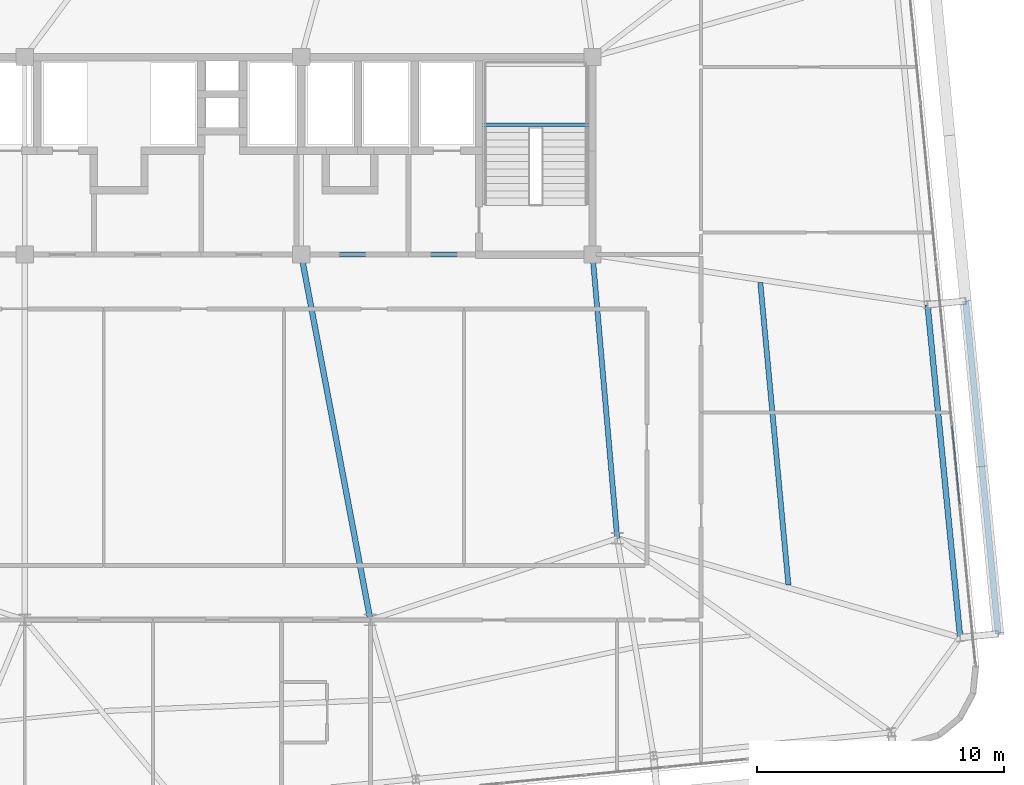
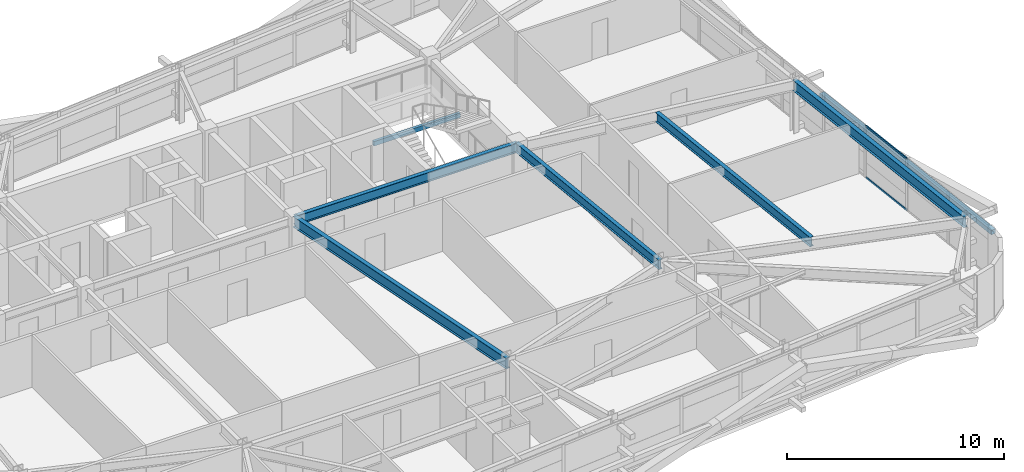
# One storey, part 23 of 52: 6 beams, 3 members, 1 element without a shape of its own.
"""IFC4 building model written with IfcOpenShell, lengths in metres."""

from ifc_helpers import new_model, si_unit, direction, frame, origin, origin_2d, place, context, subcontext, project, spatial, hollow_rectangle, i_section, extrude, source, transform, mapped, material, layer, layer_set, material_profile, profile_set, type_object, element, aggregate, save


model = new_model("IFC4")

# Units and contexts
model_context = context("Model", 3, precision=1e-05, world=origin(), true_north=direction((0.0, 1.0)))
body_context = subcontext(model_context, "Body", "Model", "MODEL_VIEW")
ifc_project = project(units=[si_unit("LENGTHUNIT", "METRE"), si_unit("AREAUNIT", "SQUARE_METRE"), si_unit("VOLUMEUNIT", "CUBIC_METRE"), si_unit("PLANEANGLEUNIT", "RADIAN"), si_unit("MASSUNIT", "GRAM", prefix="KILO")], contexts=[model_context])

# Site, building, storey
site_placement = place(None, origin())
site = spatial("IfcSite", under=ifc_project, at=site_placement, CompositionType="ELEMENT")
building_placement = place(site_placement, origin())
building = spatial("IfcBuilding", under=site, at=building_placement, Name="Taldren Reach Tower", CompositionType="ELEMENT")
storey_placement = place(building_placement, frame((0.0, 0.0, 96.60009765625)))
storey = spatial("IfcBuildingStorey", under=building, at=storey_placement, Name="L29", CompositionType="ELEMENT", Elevation=96.60009765625)

# Beams
ifc_material_1 = material(Name="Steel Gr 350 (350PLUS)", Category="steel")
ifc_material_profile_1 = material_profile(ifc_material_1, i_section(OverallWidth=0.208984375, OverallDepth=0.532958984375, WebThickness=0.01025390625, FlangeThickness=0.015625, at=origin_2d()), Name="530UB92.4")
ifc_profile_set_1 = profile_set([ifc_material_profile_1], Name="Steel Gr 350 (350PLUS)")
beam_type_1 = type_object("IfcBeamType", Name="BM-UB530A", PredefinedType="BEAM", material=ifc_profile_set_1)
shared_shape_1 = source(origin(), body_context, "Body", "SweptSolid", [
    extrude(i_section(OverallWidth=0.208984375, OverallDepth=0.532958984375, WebThickness=0.01025390625, FlangeThickness=0.015625, at=origin_2d()), origin(), (0.0, 0.0, 1.0), 11.800048828125),
])
beam_1_placement = place(storey_placement, frame((39.199951171875, 24.0, 2.663330078125), z_axis=(1.0, 0.0, 0.0), x_axis=(0.0, 1.0, 0.0)))
element("IfcBeam", 1, at=beam_1_placement, inside=storey, type_object=beam_type_1, Name="Core-spine girder L29-SP03", PredefinedType="BEAM", context=body_context, shape_type="MappedRepresentation", body=[
    mapped(shared_shape_1, transform((0.0, 0.0, 0.0), scale=1.0)),
])
shared_shape_2 = source(origin(), body_context, "Body", "SweptSolid", [
    extrude(i_section(OverallWidth=0.208984375, OverallDepth=0.532958984375, WebThickness=0.01025390625, FlangeThickness=0.015625, at=origin_2d()), origin(), (0.0, 0.0, 1.0), 11.54345703125),
])
beam_2_placement = place(storey_placement, frame((52.0, 12.5, 2.663330078125), z_axis=(-0.086629616365, 0.996240588196, 0.0), x_axis=(-0.996240588196, -0.086629616365, 0.0)))
element("IfcBeam", 2, at=beam_2_placement, inside=storey, type_object=beam_type_1, Name="Core-spine girder L29-SP13", PredefinedType="BEAM", context=body_context, shape_type="MappedRepresentation", body=[
    mapped(shared_shape_2, transform((0.0, 0.0, 0.0), scale=1.0)),
])
ifc_material_profile_2 = material_profile(ifc_material_1, i_section(OverallWidth=0.22802734375, OverallDepth=0.60205078125, WebThickness=0.010498046875, FlangeThickness=0.014892578125, at=origin_2d()), Name="610UB101")
ifc_profile_set_2 = profile_set([ifc_material_profile_2], Name="Steel Gr 350 (350PLUS)")
beam_type_2 = type_object("IfcBeamType", Name="BM-UB610B", PredefinedType="BEAM", material=ifc_profile_set_2)
shared_shape_3 = source(origin(), body_context, "Body", "SweptSolid", [
    extrude(i_section(OverallWidth=0.22802734375, OverallDepth=0.60205078125, WebThickness=0.010498046875, FlangeThickness=0.014892578125, at=origin_2d()), origin(), (0.0, 0.0, 1.0), 15.0625),
])
beam_3_placement = place(storey_placement, frame((39.199951171875, 24.0, 2.62890625), z_axis=(0.185894205668, -0.982569765614, 0.0), x_axis=(0.982569765614, 0.185894205668, 0.0)))
element("IfcBeam", 3, at=beam_3_placement, inside=storey, type_object=beam_type_2, Name="Core-spine girder L29-SP15", PredefinedType="BEAM", context=body_context, shape_type="MappedRepresentation", body=[
    mapped(shared_shape_3, transform((0.0, 0.0, 0.0), scale=1.0)),
])
shared_shape_4 = source(origin(), body_context, "Body", "SweptSolid", [
    extrude(i_section(OverallWidth=0.22802734375, OverallDepth=0.60205078125, WebThickness=0.010498046875, FlangeThickness=0.014892578125, at=origin_2d()), origin(), (0.0, 0.0, 1.0), 13.550048828125),
])
beam_4_placement = place(storey_placement, frame((65.8916015625, 8.483642578125, 2.62890625), z_axis=(-0.097566175139, 0.995229039703, 0.0), x_axis=(-0.995229039703, -0.097566175139, 0.0)))
element("IfcBeam", 4, at=beam_4_placement, inside=storey, type_object=beam_type_2, Name="Perimeter gable girder B2 E1-E2 L29", PredefinedType="BEAM", context=body_context, shape_type="MappedRepresentation", body=[
    mapped(shared_shape_4, transform((0.0, 0.0, 0.0), scale=1.0)),
])
shared_shape_5 = source(origin(), body_context, "Body", "SweptSolid", [
    extrude(i_section(OverallWidth=0.208984375, OverallDepth=0.532958984375, WebThickness=0.01025390625, FlangeThickness=0.015625, at=origin_2d()), origin(), (0.0, 0.0, 1.0), 12.306396484375),
])
beam_5_placement = place(storey_placement, frame((58.9345703125, 10.61376953125, 2.663330078125), z_axis=(-0.092546068089, 0.995708403741, 0.0), x_axis=(-0.995708403741, -0.092546068089, 0.0)))
element("IfcBeam", 5, at=beam_5_placement, inside=storey, type_object=beam_type_1, Name="Secondary floor beam B2 J7 L29", PredefinedType="BEAM", context=body_context, shape_type="MappedRepresentation", body=[
    mapped(shared_shape_5, transform((0.0, 0.0, 0.0), scale=1.0)),
])

# Member
ifc_material_2 = material(Name="Steel Gr 350 (C350L0)", Category="steel")
ifc_material_profile_3 = material_profile(ifc_material_2, hollow_rectangle(XDim=0.25, YDim=0.25, WallThickness=0.010009765625, at=origin_2d()), Name="250x250x10.0SHS")
ifc_profile_set_3 = profile_set([ifc_material_profile_3], Name="Steel Gr 350 (C350L0)")
member_type_1 = type_object("IfcMemberType", Name="MB-POST250", PredefinedType="POST", material=ifc_profile_set_3)
shared_shape_6 = source(origin(), body_context, "Body", "SweptSolid", [
    extrude(hollow_rectangle(XDim=0.25, YDim=0.25, WallThickness=0.010009765625, at=origin_2d()), origin(), (0.0, 0.0, 1.0), 13.550048828125),
])
member_1_placement = place(storey_placement, frame((67.434326171875, 8.634765625, 1.434814453125), z_axis=(-0.097584021339, 0.995227290009, 0.0), x_axis=(-0.995227290009, -0.097584021339, 0.0)))
element("IfcMember", 6, at=member_1_placement, inside=storey, type_object=member_type_1, Name="Exoskeleton mid-height ring chord B2-E1 L29", PredefinedType="POST", context=body_context, shape_type="MappedRepresentation", body=[
    mapped(shared_shape_6, transform((0.0, 0.0, 0.0), scale=1.0)),
])

# Curtain wall, members
ifc_material_3 = material(Name="Aluminium and Low-E Glass Unitised System", Category="aluminium")
ifc_layer = layer(ifc_material_3, 0.159912109375)
ifc_layer_set = layer_set([ifc_layer], Name="Aluminium and Low-E Glass Unitised System")
curtain_wall_type = type_object("IfcCurtainWallType", Name="CW-SYS-3", PredefinedType="NOTDEFINED", material=ifc_layer_set)
curtain_wall_placement = place(storey_placement, origin())
curtain_wall = element("IfcCurtainWall", 7, at=curtain_wall_placement, inside=storey, type_object=curtain_wall_type, Name="Unitised curtain wall CW-L29-E", PredefinedType="NOTDEFINED")
ifc_material_4 = material(Name="Anodised Aluminium 6063-T6", Category="aluminium")
ifc_material_profile_4 = material_profile(ifc_material_4, hollow_rectangle(XDim=0.054931640625, YDim=0.1201171875, WallThickness=0.0029296875, at=origin_2d()), Name="ALU-120x55x3RHS")
ifc_profile_set_4 = profile_set([ifc_material_profile_4], Name="Anodised Aluminium 6063-T6")
member_type_2 = type_object("IfcMemberType", Name="CW-TRN-135", PredefinedType="USERDEFINED", material=ifc_profile_set_4)
shared_shape_7 = source(origin(), body_context, "Body", "SweptSolid", [
    extrude(hollow_rectangle(XDim=0.054931640625, YDim=0.1201171875, WallThickness=0.0029296875, at=origin_2d()), origin(), (0.0, 0.0, 1.0), 3.212646484375),
])
member_2_placement = place(storey_placement, frame((65.87353515625, 13.895751953125, 0.02734375), z_axis=(-0.097577327663, 0.995227946315, 0.0), x_axis=(-0.995227946315, -0.097577327663, 0.0)))
member_2 = element("IfcMember", 8, at=member_2_placement, type_object=member_type_2, Name="CW-3 transom 3.1", ObjectType="TRANSOM", PredefinedType="USERDEFINED", context=body_context, shape_type="MappedRepresentation", body=[
    mapped(shared_shape_7, transform((0.0, 0.0, 0.0), scale=1.0)),
])
member_3_placement = place(storey_placement, frame((65.87353515625, 13.895751953125, 2.90234375), z_axis=(-0.097577327663, 0.995227946315, 0.0), x_axis=(-0.995227946315, -0.097577327663, 0.0)))
member_3 = element("IfcMember", 9, at=member_3_placement, type_object=member_type_2, Name="CW-3 transom 3.2", ObjectType="TRANSOM", PredefinedType="USERDEFINED", context=body_context, shape_type="MappedRepresentation", body=[
    mapped(shared_shape_7, transform((0.0, 0.0, 0.0), scale=1.0)),
])
aggregate(curtain_wall, [member_2, member_3])

# Beam
ifc_material_profile_5 = material_profile(ifc_material_2, hollow_rectangle(XDim=0.14990234375, YDim=0.25, WallThickness=0.009033203125, at=origin_2d()), Name="250x150x9.0RHS")
ifc_profile_set_5 = profile_set([ifc_material_profile_5], Name="Steel Gr 350 (C350L0)")
beam_type_3 = type_object("IfcBeamType", Name="LN-RHS250", PredefinedType="LINTEL", material=ifc_profile_set_5)
shared_shape_8 = source(origin(), body_context, "Body", "SweptSolid", [
    extrude(hollow_rectangle(XDim=0.14990234375, YDim=0.25, WallThickness=0.009033203125, at=origin_2d()), origin(), (0.0, 0.0, 1.0), 4.60009765625),
])
beam_6_placement = place(storey_placement, frame((46.39990234375, 29.2548828125, 1.27001953125), z_axis=(1.0, 0.0, 0.0), x_axis=(0.0, 1.0, 0.0)))
element("IfcBeam", 10, at=beam_6_placement, inside=storey, type_object=beam_type_3, Name="Stair half-landing support beam ST2-L29-1", PredefinedType="LINTEL", context=body_context, shape_type="MappedRepresentation", body=[
    mapped(shared_shape_8, transform((0.0, 0.0, 0.0), scale=1.0)),
])

save(model, "model.ifc")
